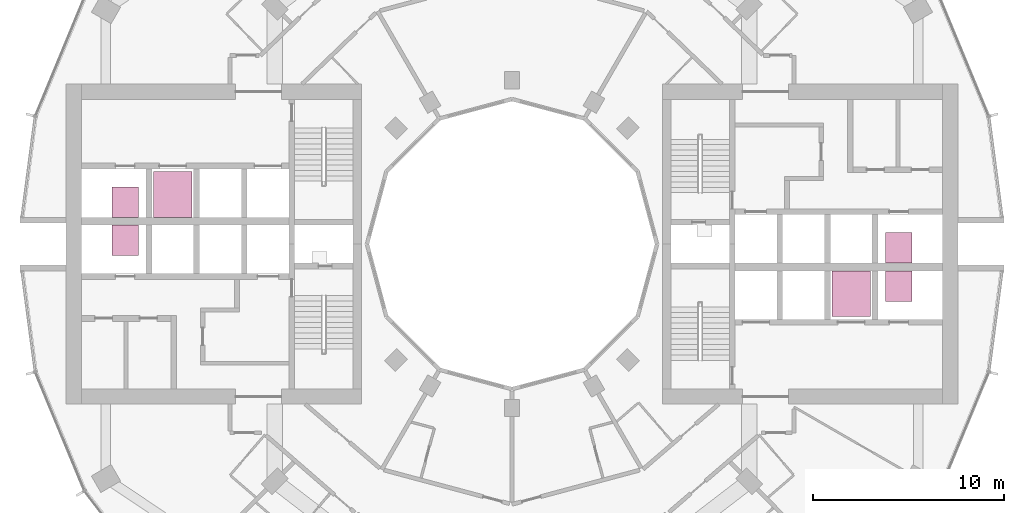
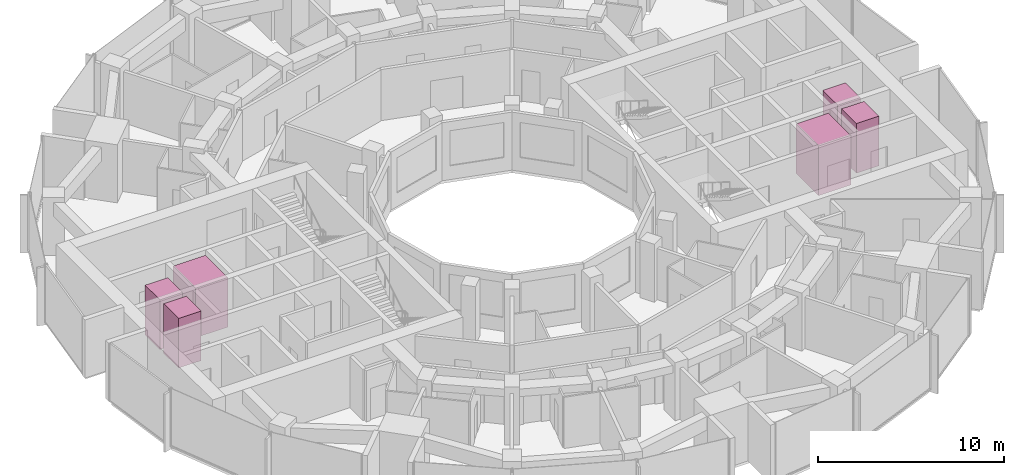
# One storey, part 15 of 15: 6 transport elements.
"""IFC4 building model written with IfcOpenShell, lengths in metres."""

from ifc_helpers import new_model, si_unit, direction, frame, origin, origin_2d, place, context, subcontext, project, spatial, rectangle, extrude, material, type_object, element, save


model = new_model("IFC4")

# Units and contexts
model_context = context("Model", 3, precision=1e-05, world=origin(), true_north=direction((0.0, 1.0)))
body_context = subcontext(model_context, "Body", "Model", "MODEL_VIEW")
ifc_project = project(units=[si_unit("LENGTHUNIT", "METRE"), si_unit("AREAUNIT", "SQUARE_METRE"), si_unit("VOLUMEUNIT", "CUBIC_METRE"), si_unit("PLANEANGLEUNIT", "RADIAN"), si_unit("MASSUNIT", "GRAM", prefix="KILO")], contexts=[model_context])

# Site, building, storey
site_placement = place(None, origin())
site = spatial("IfcSite", under=ifc_project, at=site_placement, CompositionType="ELEMENT")
building_placement = place(site_placement, origin())
building = spatial("IfcBuilding", under=site, at=building_placement, Name="Torre Brocal", CompositionType="ELEMENT")
storey_placement = place(building_placement, frame((0.0, 0.0, 40.199951171875)))
storey = spatial("IfcBuildingStorey", under=building, at=storey_placement, Name="L08", CompositionType="ELEMENT", Elevation=40.199951171875)

# Transport elements
ifc_material_1 = material(Name="Stainless steel AISI 316", Category="steel")
transport_element_type_1 = type_object("IfcTransportElementType", Name="PASSENGER LIFT 2000", PredefinedType="ELEVATOR", material=ifc_material_1)
for number, where, z_axis, x_axis, name in (
    (1, (97.800048828125, 72.39990234375, 0.0), (0.0, 0.0, 1.0), (1.0, 0.0, 0.0), "LOW RISE LIFT E-LR2"),
    (2, (62.199951171875, 77.60009765625, 0.0), (0.0, 0.0, 1.0), (1.0, 0.0, 0.0), "LOW RISE LIFT W-LR2"),
):
    element("IfcTransportElement", number, at=place(storey_placement, frame(where, z_axis=z_axis, x_axis=x_axis)), inside=storey, type_object=transport_element_type_1, Name=name, PredefinedType="ELEVATOR", context=body_context, shape_type="SweptSolid", body=[
        extrude(rectangle(XDim=2.0, YDim=2.39990234375, at=origin_2d()), origin(), (0.0, 0.0, 1.0), 3.25),
    ])
ifc_material_2 = material(Name="Stainless steel AISI 316", Category="steel")
transport_element_type_2 = type_object("IfcTransportElementType", Name="PASSENGER LIFT 900", PredefinedType="ELEVATOR", material=ifc_material_2)
for number, where, z_axis, x_axis, name in (
    (3, (100.300048828125, 74.800048828125, 0.0), (0.0, 0.0, 1.0), (1.0, 0.0, 0.0), "LOW RISE LIFT E-LR1"),
    (4, (100.300048828125, 72.800048828125, 0.0), (0.0, 0.0, 1.0), (1.0, 0.0, 0.0), "LOW RISE LIFT E-LR3"),
    (5, (59.699951171875, 75.199951171875, 0.0), (0.0, 0.0, 1.0), (1.0, 0.0, 0.0), "LOW RISE LIFT W-LR1"),
    (6, (59.699951171875, 77.199951171875, 0.0), (0.0, 0.0, 1.0), (1.0, 0.0, 0.0), "LOW RISE LIFT W-LR3"),
):
    element("IfcTransportElement", number, at=place(storey_placement, frame(where, z_axis=z_axis, x_axis=x_axis)), inside=storey, type_object=transport_element_type_2, Name=name, PredefinedType="ELEVATOR", context=body_context, shape_type="SweptSolid", body=[
        extrude(rectangle(XDim=1.39990234375, YDim=1.60009765625, at=origin_2d()), origin(), (0.0, 0.0, 1.0), 3.25),
    ])

save(model, "model.ifc")
